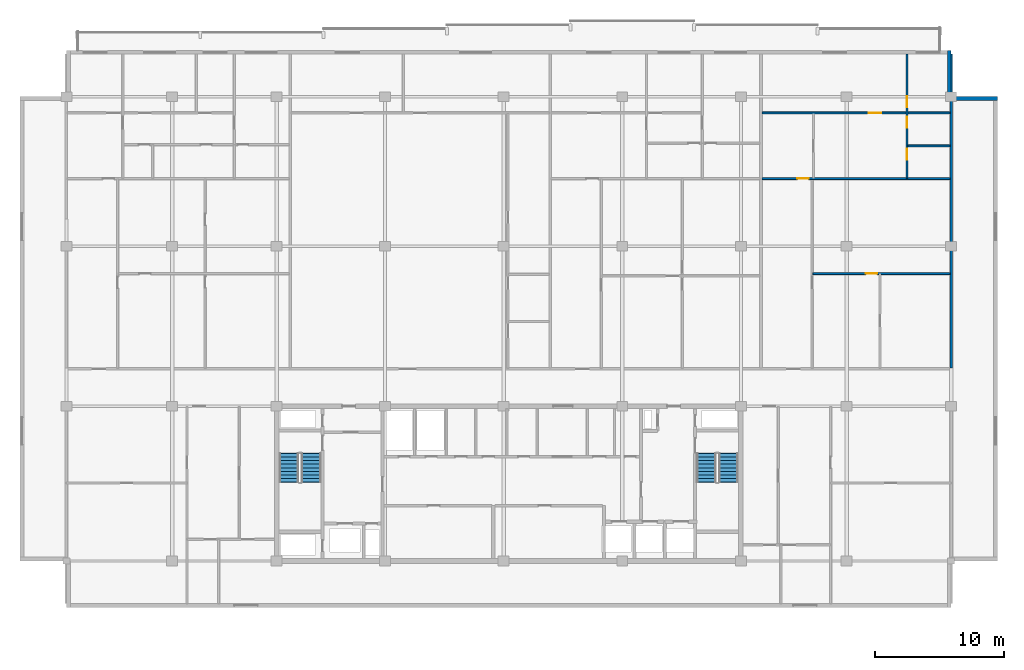
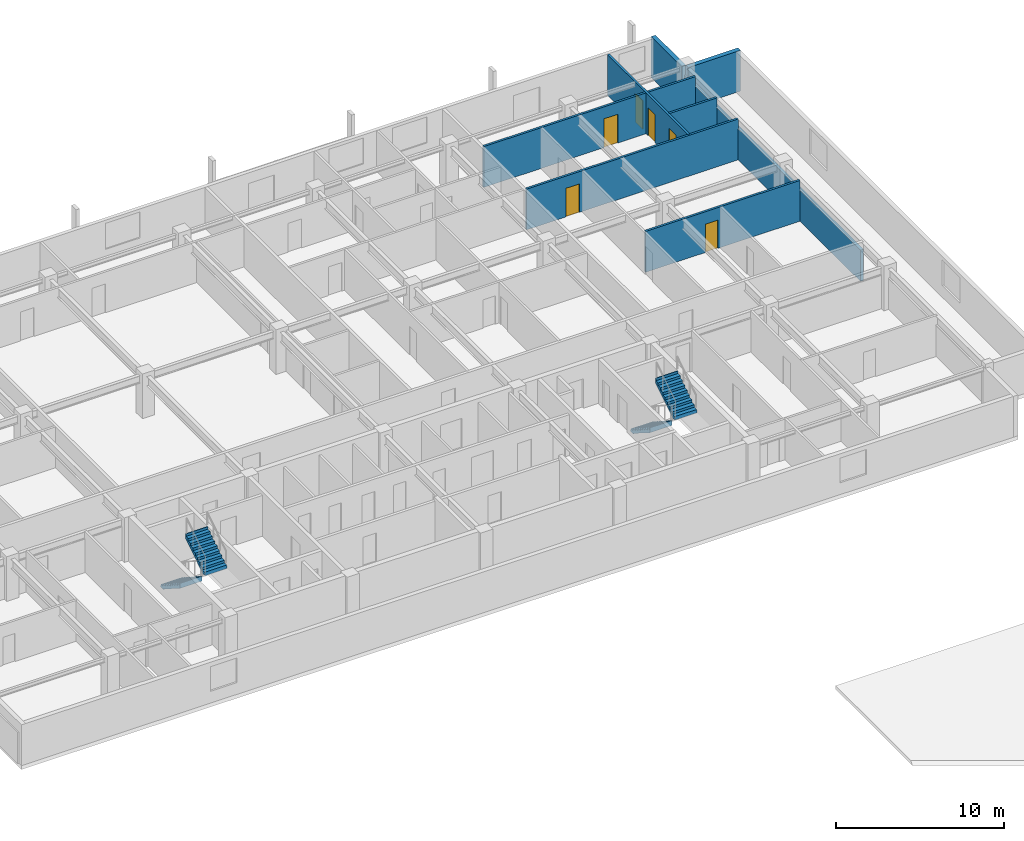
# One storey, part 9 of 11: 8 walls, 6 doors, 4 stair flights, 6 openings, 2 elements without a shape of their own.
"""IFC4 building model written with IfcOpenShell, lengths in metres."""

from ifc_helpers import new_model, si_unit, direction, frame, frame_2d, origin, place, context, subcontext, project, spatial, polyline, rectangle, outline, extrude, material, layer, layer_set, type_object, element, fill, aggregate, save


model = new_model("IFC4")

# Units and contexts
model_context = context("Model", 3, precision=1e-05, world=origin(), true_north=direction((0.0, 1.0)))
body_context = subcontext(model_context, "Body", "Model", "MODEL_VIEW")
ifc_project = project(units=[si_unit("LENGTHUNIT", "METRE"), si_unit("AREAUNIT", "SQUARE_METRE"), si_unit("VOLUMEUNIT", "CUBIC_METRE"), si_unit("PLANEANGLEUNIT", "RADIAN"), si_unit("MASSUNIT", "GRAM", prefix="KILO")], contexts=[model_context])

# Site, building, storey
site_placement = place(None, origin())
site = spatial("IfcSite", under=ifc_project, at=site_placement, CompositionType="ELEMENT")
building_placement = place(site_placement, origin())
building = spatial("IfcBuilding", under=site, at=building_placement, Name="Korimba Cascade Residences", CompositionType="ELEMENT")
storey_placement = place(building_placement, frame((0.0, 0.0, 220.60009765625)))
storey = spatial("IfcBuildingStorey", under=building, at=storey_placement, Name="L64", CompositionType="ELEMENT", Elevation=220.60009765625)

# Walls
ifc_material_1 = material(Name="Precast concrete C40/50", Category="concrete")
ifc_layer_1 = layer(ifc_material_1, 0.300048828125)
ifc_layer_set_1 = layer_set([ifc_layer_1], Name="Precast concrete C40/50")
wall_type_1 = type_object("IfcWallType", Name="EW-STONE-300", PredefinedType="STANDARD", material=ifc_layer_set_1)
for number, where, z_axis, x_axis, name in (
    (1, (132.0, 91.050048828125, 0.0), (0.0, 0.0, 1.0), (-1.0, 0.0, 0.0), "L64 T1 Perimeter Stone Wall E04"),
    (2, (128.25, 91.199951171875, 0.0), (0.0, 0.0, 1.0), (0.0, 1.0, 0.0), "L64 T1 Perimeter Stone Wall E05"),
):
    element("IfcWall", number, at=place(storey_placement, frame(where, z_axis=z_axis, x_axis=x_axis)), inside=storey, type_object=wall_type_1, Name=name, PredefinedType="STANDARD", context=body_context, shape_type="SweptSolid", body=[
        extrude(rectangle(XDim=3.60009765625, YDim=0.300048828125, at=frame_2d((1.800048828125, 0.0))), origin(), (0.0, 0.0, 1.0), 2.969970703125),
    ])
ifc_layer_2 = layer(ifc_material_1, 0.199951171875)
ifc_layer_set_2 = layer_set([ifc_layer_2], Name="Precast concrete C40/50")
wall_type_2 = type_object("IfcWallType", Name="WAL-IT-200", PredefinedType="PARTITIONING", material=ifc_layer_set_2)
wall_1_placement = place(storey_placement, frame((128.39990234375, 70.179931640625, 0.0), z_axis=(0.0, 0.0, 1.0), x_axis=(0.0, 1.0, 0.0)))
element("IfcWall", 3, at=wall_1_placement, inside=storey, type_object=wall_type_2, Name="L64 Partition Wall WAL-L64-T1-BNDWR", PredefinedType="PARTITIONING", context=body_context, shape_type="SweptSolid", body=[
    extrude(rectangle(XDim=24.320068359375, YDim=0.199951171875, at=frame_2d((12.16015625, 0.0))), origin(), (0.0, 0.0, 1.0), 2.277099609375),
])

# Wall, opening, door
ifc_material_2 = material(Name="Insulated Acoustic Stud Partition", Category="gypsum")
ifc_layer_3 = layer(ifc_material_2, 0.14990234375)
ifc_layer_set_3 = layer_set([ifc_layer_3], Name="Insulated Acoustic Stud Partition")
wall_type_3 = type_object("IfcWallType", Name="WAL-PART-150", PredefinedType="PARTITIONING", material=ifc_layer_set_3)
wall_2_placement = place(storey_placement, frame((117.686279296875, 77.485107421875, 0.0), z_axis=(0.0, 0.0, 1.0), x_axis=(1.0, 0.0, 0.0)))
wall_2 = element("IfcWall", 4, at=wall_2_placement, inside=storey, type_object=wall_type_3, Name="L64 Partition Wall WAL-L64-T1-U04-FMH", PredefinedType="PARTITIONING", context=body_context, shape_type="SweptSolid", body=[
    extrude(rectangle(XDim=10.6337890625, YDim=0.14990234375, at=frame_2d((5.31689453125, 0.0))), origin(), (0.0, 0.0, 1.0), 2.969970703125),
])
opening_1_placement = place(wall_2_placement, frame((4.096923828125, 0.0, 0.0)))
opening_1 = element("IfcOpeningElement", 5, at=opening_1_placement, cuts=wall_2, Name="Opening D-IN2", PredefinedType="OPENING", context=body_context, shape_type="SweptSolid", body=[
    extrude(rectangle(XDim=0.8798828125, YDim=2.06005859375, at=frame_2d((0.43994140625, 1.030029296875))), frame((0.0, 0.0849609375, 0.0), z_axis=(0.0, -1.0, 0.0), x_axis=(1.0, 0.0, 0.0)), (0.0, 0.0, 1.0), 0.169921875),
])
ifc_material_3 = material(Name="Acoustic Timber Bedroom Door", Category="wood")
door_type_1 = type_object("IfcDoorType", Name="DR-INT-880", OperationType="NOTDEFINED", PredefinedType="DOOR", material=ifc_material_3)
door_1_placement = place(opening_1_placement, origin())
door_1 = element("IfcDoor", 6, at=door_1_placement, inside=storey, type_object=door_type_1, Name="L64-T1-U04 Library Salon Door", OperationType="SINGLE_SWING_LEFT", OverallHeight=2.06005859375, OverallWidth=0.8798828125, PredefinedType="DOOR", context=body_context, shape_type="SweptSolid", body=[
    extrude(rectangle(XDim=0.8798828125, YDim=2.06005859375, at=frame_2d((0.43994140625, 1.030029296875))), frame((0.0, 0.02490234375, 0.0), z_axis=(0.0, -1.0, 0.0), x_axis=(1.0, 0.0, 0.0)), (0.0, 0.0, 1.0), 0.050048828125),
])
fill(opening_1, door_1)

# Wall
wall_3_placement = place(storey_placement, frame((125.0400390625, 87.389892578125, 0.0), z_axis=(0.0, 0.0, 1.0), x_axis=(1.0, 0.0, 0.0)))
element("IfcWall", 7, at=wall_3_placement, inside=storey, type_object=wall_type_3, Name="L64 Partition Wall WAL-L64-T1-U04-BLDIV", PredefinedType="PARTITIONING", context=body_context, shape_type="SweptSolid", body=[
    extrude(rectangle(XDim=3.280029296875, YDim=0.14990234375, at=frame_2d((1.64013671875, 0.0))), origin(), (0.0, 0.0, 1.0), 2.969970703125),
])

# Wall, openings, doors
wall_4_placement = place(storey_placement, frame((124.97998046875, 84.889892578125, 0.0), z_axis=(0.0, 0.0, 1.0), x_axis=(0.0, 1.0, 0.0)))
wall_4 = element("IfcWall", 8, at=wall_4_placement, inside=storey, type_object=wall_type_3, Name="L64 Partition Wall WAL-L64-T1-U04-V1", PredefinedType="PARTITIONING", context=body_context, shape_type="SweptSolid", body=[
    extrude(rectangle(XDim=9.610107421875, YDim=0.14990234375, at=frame_2d((4.80517578125, 0.0))), origin(), (0.0, 0.0, 1.0), 2.969970703125),
])
opening_2_placement = place(wall_4_placement, frame((1.430419921875, 0.0, 0.0)))
opening_2 = element("IfcOpeningElement", 9, at=opening_2_placement, cuts=wall_4, Name="Opening D-BT1", PredefinedType="OPENING", context=body_context, shape_type="SweptSolid", body=[
    extrude(rectangle(XDim=0.840087890625, YDim=2.0400390625, at=frame_2d((0.419921875, 1.02001953125))), frame((0.0, 0.0849609375, 0.0), z_axis=(0.0, -1.0, 0.0), x_axis=(1.0, 0.0, 0.0)), (0.0, 0.0, 1.0), 0.169921875),
])
opening_3_placement = place(wall_4_placement, frame((3.919921875, 0.0, 0.0)))
opening_3 = element("IfcOpeningElement", 10, at=opening_3_placement, cuts=wall_4, Name="Opening D-BT1", PredefinedType="OPENING", context=body_context, shape_type="SweptSolid", body=[
    extrude(rectangle(XDim=0.840087890625, YDim=2.0400390625, at=frame_2d((0.419921875, 1.02001953125))), frame((0.0, 0.0849609375, 0.0), z_axis=(0.0, -1.0, 0.0), x_axis=(1.0, 0.0, 0.0)), (0.0, 0.0, 1.0), 0.169921875),
])
opening_4_placement = place(wall_4_placement, frame((5.47998046875, 0.0, 0.0)))
opening_4 = element("IfcOpeningElement", 11, at=opening_4_placement, cuts=wall_4, Name="Opening D-IN2", PredefinedType="OPENING", context=body_context, shape_type="SweptSolid", body=[
    extrude(rectangle(XDim=0.8798828125, YDim=2.06005859375, at=frame_2d((0.43994140625, 1.030029296875))), frame((0.0, 0.0849609375, 0.0), z_axis=(0.0, -1.0, 0.0), x_axis=(1.0, 0.0, 0.0)), (0.0, 0.0, 1.0), 0.169921875),
])
ifc_material_4 = material(Name="Moisture-Resistant Bathroom Timber Door", Category="wood")
door_type_2 = type_object("IfcDoorType", Name="DR-INT-850", OperationType="NOTDEFINED", PredefinedType="DOOR", material=ifc_material_4)
door_2_placement = place(opening_2_placement, origin())
door_2 = element("IfcDoor", 12, at=door_2_placement, inside=storey, type_object=door_type_2, Name="L64-T1-U04 Bathroom Door", OperationType="SINGLE_SWING_RIGHT", OverallHeight=2.0400390625, OverallWidth=0.840087890625, PredefinedType="DOOR", context=body_context, shape_type="SweptSolid", body=[
    extrude(rectangle(XDim=0.840087890625, YDim=2.0400390625, at=frame_2d((0.419921875, 1.02001953125))), frame((0.0, 0.02490234375, 0.0), z_axis=(0.0, -1.0, 0.0), x_axis=(1.0, 0.0, 0.0)), (0.0, 0.0, 1.0), 0.050048828125),
])
fill(opening_2, door_2)
door_3_placement = place(opening_3_placement, origin())
door_3 = element("IfcDoor", 13, at=door_3_placement, inside=storey, type_object=door_type_2, Name="L64-T1-U04 Laundry Door", OperationType="SINGLE_SWING_LEFT", OverallHeight=2.0400390625, OverallWidth=0.840087890625, PredefinedType="DOOR", context=body_context, shape_type="SweptSolid", body=[
    extrude(rectangle(XDim=0.840087890625, YDim=2.0400390625, at=frame_2d((0.419921875, 1.02001953125))), frame((0.0, 0.02490234375, 0.0), z_axis=(0.0, -1.0, 0.0), x_axis=(1.0, 0.0, 0.0)), (0.0, 0.0, 1.0), 0.050048828125),
])
fill(opening_3, door_3)
door_4_placement = place(opening_4_placement, origin())
door_4 = element("IfcDoor", 14, at=door_4_placement, inside=storey, type_object=door_type_1, Name="L64-T1-U04 Bedroom 1 Door", OperationType="SINGLE_SWING_RIGHT", OverallHeight=2.06005859375, OverallWidth=0.8798828125, PredefinedType="DOOR", context=body_context, shape_type="SweptSolid", body=[
    extrude(rectangle(XDim=0.8798828125, YDim=2.06005859375, at=frame_2d((0.43994140625, 1.030029296875))), frame((0.0, 0.02490234375, 0.0), z_axis=(0.0, -1.0, 0.0), x_axis=(1.0, 0.0, 0.0)), (0.0, 0.0, 1.0), 0.050048828125),
])
fill(opening_4, door_4)

# Wall, opening, door
wall_5_placement = place(storey_placement, frame((113.736083984375, 84.85009765625, 0.0), z_axis=(0.0, 0.0, 1.0), x_axis=(1.0, 0.0, 0.0)))
wall_5 = element("IfcWall", 15, at=wall_5_placement, inside=storey, type_object=wall_type_3, Name="L64 Partition Wall WAL-L64-T1-U04-MW", PredefinedType="PARTITIONING", context=body_context, shape_type="SweptSolid", body=[
    extrude(rectangle(XDim=14.583984375, YDim=0.14990234375, at=frame_2d((7.2919921875, 0.0))), origin(), (0.0, 0.0, 1.0), 2.969970703125),
])
opening_5_placement = place(wall_5_placement, frame((2.719970703125, 0.0, 0.0)))
opening_5 = element("IfcOpeningElement", 16, at=opening_5_placement, cuts=wall_5, Name="Opening D-IN1", PredefinedType="OPENING", context=body_context, shape_type="SweptSolid", body=[
    extrude(rectangle(XDim=0.919921875, YDim=2.080078125, at=frame_2d((0.4599609375, 1.0400390625))), frame((0.0, 0.0849609375, 0.0), z_axis=(0.0, -1.0, 0.0), x_axis=(1.0, 0.0, 0.0)), (0.0, 0.0, 1.0), 0.169921875),
])
ifc_material_5 = material(Name="Acoustic Timber Living Door", Category="wood")
door_type_3 = type_object("IfcDoorType", Name="DR-INT-920", OperationType="NOTDEFINED", PredefinedType="DOOR", material=ifc_material_5)
door_5_placement = place(opening_5_placement, origin())
door_5 = element("IfcDoor", 17, at=door_5_placement, inside=storey, type_object=door_type_3, Name="L64-T1-U04 Kitchen Archway Door", OperationType="SINGLE_SWING_LEFT", OverallHeight=2.080078125, OverallWidth=0.919921875, PredefinedType="DOOR", context=body_context, shape_type="SweptSolid", body=[
    extrude(rectangle(XDim=0.919921875, YDim=2.080078125, at=frame_2d((0.4599609375, 1.0400390625))), frame((0.0, 0.02490234375, 0.0), z_axis=(0.0, -1.0, 0.0), x_axis=(1.0, 0.0, 0.0)), (0.0, 0.0, 1.0), 0.050048828125),
])
fill(opening_5, door_5)

wall_6_placement = place(storey_placement, frame((113.736083984375, 89.949951171875, 0.0), z_axis=(0.0, 0.0, 1.0), x_axis=(1.0, 0.0, 0.0)))
wall_6 = element("IfcWall", 18, at=wall_6_placement, inside=storey, type_object=wall_type_3, Name="L64 Partition Wall WAL-L64-T1-U04-HZ", PredefinedType="PARTITIONING", context=body_context, shape_type="SweptSolid", body=[
    extrude(rectangle(XDim=14.583984375, YDim=0.14990234375, at=frame_2d((7.2919921875, 0.0))), origin(), (0.0, 0.0, 1.0), 2.969970703125),
])
opening_6_placement = place(wall_6_placement, frame((8.2890625, 0.0, 0.0)))
opening_6 = element("IfcOpeningElement", 19, at=opening_6_placement, cuts=wall_6, Name="Opening D-IN0", PredefinedType="OPENING", context=body_context, shape_type="SweptSolid", body=[
    extrude(rectangle(XDim=0.93994140625, YDim=2.10009765625, at=frame_2d((0.469970703125, 1.050048828125))), frame((0.0, 0.0849609375, 0.0), z_axis=(0.0, -1.0, 0.0), x_axis=(1.0, 0.0, 0.0)), (0.0, 0.0, 1.0), 0.169921875),
])
ifc_material_6 = material(Name="Acoustic Timber Living Archway Door", Category="wood")
door_type_4 = type_object("IfcDoorType", Name="DR-INT-950", OperationType="NOTDEFINED", PredefinedType="DOOR", material=ifc_material_6)
door_6_placement = place(opening_6_placement, origin())
door_6 = element("IfcDoor", 20, at=door_6_placement, inside=storey, type_object=door_type_4, Name="L64-T1-U04 Living Archway Door", OperationType="SINGLE_SWING_RIGHT", OverallHeight=2.10009765625, OverallWidth=0.93994140625, PredefinedType="DOOR", context=body_context, shape_type="SweptSolid", body=[
    extrude(rectangle(XDim=0.93994140625, YDim=2.10009765625, at=frame_2d((0.469970703125, 1.050048828125))), frame((0.0, 0.02490234375, 0.0), z_axis=(0.0, -1.0, 0.0), x_axis=(1.0, 0.0, 0.0)), (0.0, 0.0, 1.0), 0.050048828125),
])
fill(opening_6, door_6)

# Stair, stair flights
ifc_material_7 = material(Name="Concrete C50/60", Category="concrete")
stair_type_1 = type_object("IfcStairType", Name="STR-W1-18R-1806", PredefinedType="HALF_TURN_STAIR", material=ifc_material_7)
stair_1_placement = place(storey_placement, origin())
stair_1 = element("IfcStair", 21, at=stair_1_placement, inside=storey, type_object=stair_type_1, Name="L64 Tower 1 West Fire Stair ST-W1", PredefinedType="HALF_TURN_STAIR")
stair_flight_type = type_object("IfcStairFlightType", Name="STF-DL-18R-1806-1520", PredefinedType="STRAIGHT", material=ifc_material_7)
stair_flight_1_placement = place(storey_placement, frame((77.06005859375, 63.550048828125, 0.0), z_axis=(0.0, 0.0, 1.0), x_axis=(0.0, -1.0, 0.0)))
stair_flight_1 = element("IfcStairFlight", 22, at=stair_flight_1_placement, type_object=stair_flight_type, Name="ST-W1 flight 1", NumberOfRisers=9, NumberOfTreads=8, PredefinedType="STRAIGHT", RiserHeight=0.180555556, TreadLength=0.28, context=body_context, shape_type="SweptSolid", body=[
    extrude(outline(polyline([(-0.0380859375, 0.0), (0.0, 0.1806640625), (0.280029296875, 0.1806640625), (0.280029296875, 0.361083984375), (0.56005859375, 0.361083984375), (0.56005859375, 0.541748046875), (0.840087890625, 0.541748046875), (0.840087890625, 0.72216796875), (1.1201171875, 0.72216796875), (1.1201171875, 0.90283203125), (1.39990234375, 0.90283203125), (1.39990234375, 1.083251953125), (1.679931640625, 1.083251953125), (1.679931640625, 1.263916015625), (1.9599609375, 1.263916015625), (1.9599609375, 1.4443359375), (2.239990234375, 1.4443359375), (2.239990234375, 1.625), (2.278076171875, 1.625), (2.278076171875, 1.26611328125), (0.276611328125, 0.0), (0.276611328125, -0.0380859375), (-0.0380859375, -0.0380859375), (-0.0380859375, 0.0)])), frame((0.0, 0.760009765625, 0.0), z_axis=(0.0, -1.0, 0.0), x_axis=(1.0, 0.0, 0.0)), (0.0, 0.0, 1.0), 1.52001953125),
])
stair_flight_2_placement = place(storey_placement, frame((78.780029296875, 61.31005859375, 1.625), z_axis=(0.0, 0.0, 1.0), x_axis=(0.0, 1.0, 0.0)))
stair_flight_2 = element("IfcStairFlight", 23, at=stair_flight_2_placement, type_object=stair_flight_type, Name="ST-W1 flight 2", NumberOfRisers=9, NumberOfTreads=8, PredefinedType="STRAIGHT", RiserHeight=0.180555556, TreadLength=0.28, context=body_context, shape_type="SweptSolid", body=[
    extrude(outline(polyline([(-0.0380859375, 0.0), (0.0, 0.1806640625), (0.280029296875, 0.1806640625), (0.280029296875, 0.361083984375), (0.56005859375, 0.361083984375), (0.56005859375, 0.541748046875), (0.840087890625, 0.541748046875), (0.840087890625, 0.72216796875), (1.1201171875, 0.72216796875), (1.1201171875, 0.90283203125), (1.39990234375, 0.90283203125), (1.39990234375, 1.083251953125), (1.679931640625, 1.083251953125), (1.679931640625, 1.263916015625), (1.9599609375, 1.263916015625), (1.9599609375, 1.4443359375), (2.239990234375, 1.4443359375), (2.239990234375, 1.625), (2.278076171875, 1.625), (2.278076171875, 1.26611328125), (0.276611328125, 0.0), (0.276611328125, -0.0380859375), (-0.0380859375, -0.0380859375), (-0.0380859375, 0.0)])), frame((0.0, 0.760009765625, 0.0), z_axis=(0.0, -1.0, 0.0), x_axis=(1.0, 0.0, 0.0)), (0.0, 0.0, 1.0), 1.52001953125),
])
aggregate(stair_1, [stair_flight_1, stair_flight_2])

stair_type_2 = type_object("IfcStairType", Name="STR-W2-18R-1806", PredefinedType="HALF_TURN_STAIR", material=ifc_material_7)
stair_2_placement = place(storey_placement, origin())
stair_2 = element("IfcStair", 24, at=stair_2_placement, inside=storey, type_object=stair_type_2, Name="L64 Tower 1 East Fire Stair ST-W2", PredefinedType="HALF_TURN_STAIR")
stair_flight_3_placement = place(storey_placement, frame((109.419921875, 63.550048828125, 0.0), z_axis=(0.0, 0.0, 1.0), x_axis=(0.0, -1.0, 0.0)))
stair_flight_3 = element("IfcStairFlight", 25, at=stair_flight_3_placement, type_object=stair_flight_type, Name="ST-W2 flight 1", NumberOfRisers=9, NumberOfTreads=8, PredefinedType="STRAIGHT", RiserHeight=0.180555556, TreadLength=0.28, context=body_context, shape_type="SweptSolid", body=[
    extrude(outline(polyline([(-0.0380859375, 0.0), (0.0, 0.1806640625), (0.280029296875, 0.1806640625), (0.280029296875, 0.361083984375), (0.56005859375, 0.361083984375), (0.56005859375, 0.541748046875), (0.840087890625, 0.541748046875), (0.840087890625, 0.72216796875), (1.1201171875, 0.72216796875), (1.1201171875, 0.90283203125), (1.39990234375, 0.90283203125), (1.39990234375, 1.083251953125), (1.679931640625, 1.083251953125), (1.679931640625, 1.263916015625), (1.9599609375, 1.263916015625), (1.9599609375, 1.4443359375), (2.239990234375, 1.4443359375), (2.239990234375, 1.625), (2.278076171875, 1.625), (2.278076171875, 1.26611328125), (0.276611328125, 0.0), (0.276611328125, -0.0380859375), (-0.0380859375, -0.0380859375), (-0.0380859375, 0.0)])), frame((0.0, 0.760009765625, 0.0), z_axis=(0.0, -1.0, 0.0), x_axis=(1.0, 0.0, 0.0)), (0.0, 0.0, 1.0), 1.52001953125),
])
stair_flight_4_placement = place(storey_placement, frame((111.139892578125, 61.31005859375, 1.625), z_axis=(0.0, 0.0, 1.0), x_axis=(0.0, 1.0, 0.0)))
stair_flight_4 = element("IfcStairFlight", 26, at=stair_flight_4_placement, type_object=stair_flight_type, Name="ST-W2 flight 2", NumberOfRisers=9, NumberOfTreads=8, PredefinedType="STRAIGHT", RiserHeight=0.180555556, TreadLength=0.28, context=body_context, shape_type="SweptSolid", body=[
    extrude(outline(polyline([(-0.0380859375, 0.0), (0.0, 0.1806640625), (0.280029296875, 0.1806640625), (0.280029296875, 0.361083984375), (0.56005859375, 0.361083984375), (0.56005859375, 0.541748046875), (0.840087890625, 0.541748046875), (0.840087890625, 0.72216796875), (1.1201171875, 0.72216796875), (1.1201171875, 0.90283203125), (1.39990234375, 0.90283203125), (1.39990234375, 1.083251953125), (1.679931640625, 1.083251953125), (1.679931640625, 1.263916015625), (1.9599609375, 1.263916015625), (1.9599609375, 1.4443359375), (2.239990234375, 1.4443359375), (2.239990234375, 1.625), (2.278076171875, 1.625), (2.278076171875, 1.26611328125), (0.276611328125, 0.0), (0.276611328125, -0.0380859375), (-0.0380859375, -0.0380859375), (-0.0380859375, 0.0)])), frame((0.0, 0.760009765625, 0.0), z_axis=(0.0, -1.0, 0.0), x_axis=(1.0, 0.0, 0.0)), (0.0, 0.0, 1.0), 1.52001953125),
])
aggregate(stair_2, [stair_flight_3, stair_flight_4])

save(model, "model.ifc")
